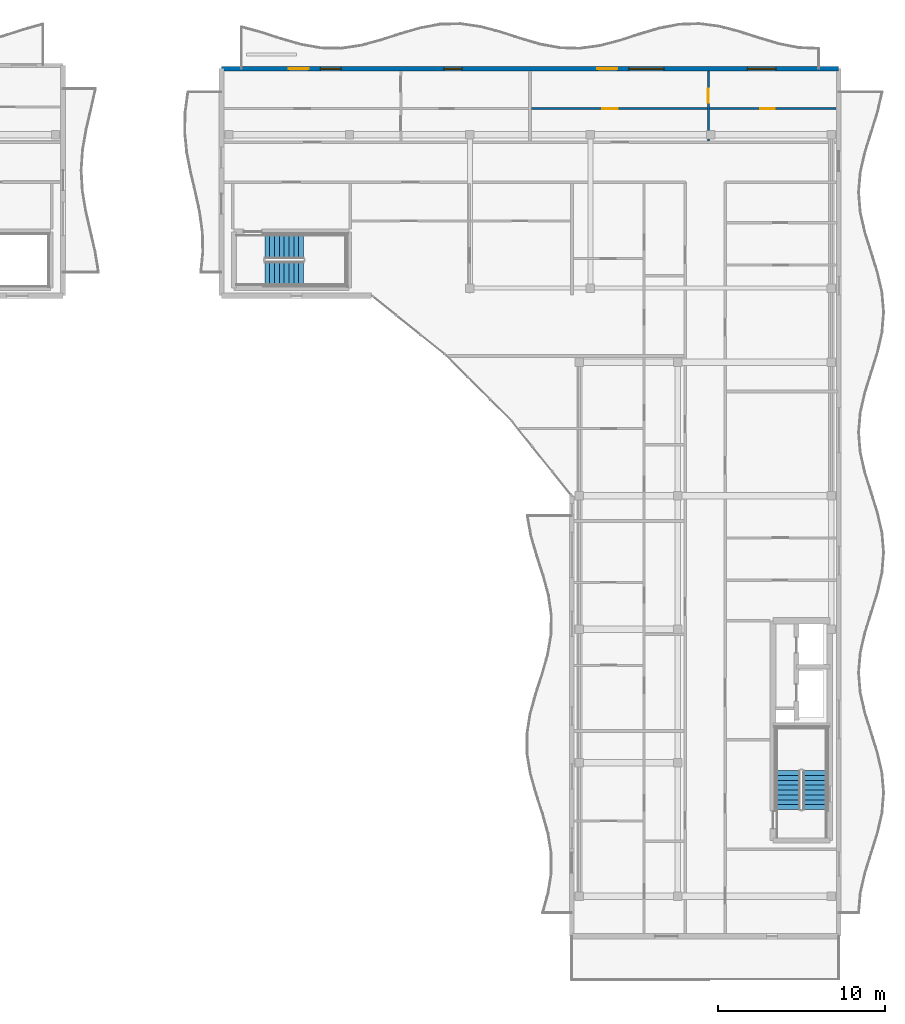
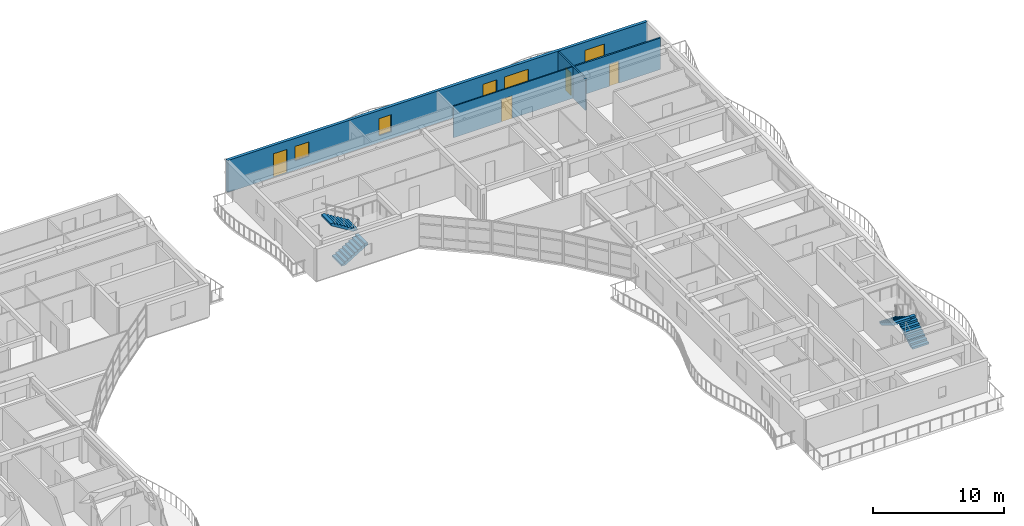
# One storey, part 22 of 30: 5 doors, 4 stair flights, 4 walls, 4 windows, 9 openings, 2 elements without a shape of their own.
"""IFC4 building model written with IfcOpenShell, lengths in metres."""

from ifc_helpers import new_model, si_unit, direction, frame, frame_2d, origin, place, context, subcontext, project, spatial, polyline, rectangle, outline, extrude, material, layer, layer_set, type_object, element, fill, aggregate, save


model = new_model("IFC4")

# Units and contexts
model_context = context("Model", 3, precision=1e-05, world=origin(), true_north=direction((0.0, 1.0)))
body_context = subcontext(model_context, "Body", "Model", "MODEL_VIEW")
ifc_project = project(units=[si_unit("LENGTHUNIT", "METRE"), si_unit("AREAUNIT", "SQUARE_METRE"), si_unit("VOLUMEUNIT", "CUBIC_METRE"), si_unit("PLANEANGLEUNIT", "RADIAN"), si_unit("MASSUNIT", "GRAM", prefix="KILO")], contexts=[model_context])

# Site, building, storey
site_placement = place(None, origin())
site = spatial("IfcSite", under=ifc_project, at=site_placement, CompositionType="ELEMENT")
building_placement = place(site_placement, origin())
building = spatial("IfcBuilding", under=site, at=building_placement, Name="Keldmere Railside Commons", CompositionType="ELEMENT")
storey_placement = place(building_placement, frame((0.0, 0.0, 36.159912109375)))
storey = spatial("IfcBuildingStorey", under=building, at=storey_placement, Name="L11", CompositionType="ELEMENT", Elevation=36.159912109375)

# Wall, opening, door
ifc_material_1 = material(Name="Acoustic Gypsum Board Partition", Category="gypsum")
ifc_layer_1 = layer(ifc_material_1, 0.1201171875, Name="Apartment Interior Partition 120")
ifc_layer_set_1 = layer_set([ifc_layer_1], Name="Acoustic Gypsum Board Partition")
wall_type_1 = type_object("IfcWallType", Name="Apartment Interior Partition 120", PredefinedType="PARTITIONING", material=ifc_layer_set_1)
wall_1_placement = place(storey_placement, frame((176.179931640625, 109.280029296875, 0.0), z_axis=(0.0, 0.0, 1.0), x_axis=(0.0, 1.0, 0.0)))
wall_1 = element("IfcWall", 1, at=wall_1_placement, inside=storey, type_object=wall_type_1, Name="IW-4 IW-L11-1881", PredefinedType="PARTITIONING", context=body_context, shape_type="SweptSolid", body=[
    extrude(rectangle(XDim=4.18994140625, YDim=0.1201171875, at=frame_2d((2.094970703125, 0.0))), origin(), (0.0, 0.0, 1.0), 2.93505859375),
])
opening_1_placement = place(wall_1_placement, frame((2.267578125, 0.0, 0.0)))
opening_1 = element("IfcOpeningElement", 2, at=opening_1_placement, cuts=wall_1, Name="Opening ID-04", PredefinedType="OPENING", context=body_context, shape_type="SweptSolid", body=[
    extrude(rectangle(XDim=0.860107421875, YDim=2.10009765625, at=frame_2d((0.43017578125, 1.050048828125))), frame((0.0, 0.070068359375, 0.0), z_axis=(0.0, -1.0, 0.0), x_axis=(1.0, 0.0, 0.0)), (0.0, 0.0, 1.0), 0.14013671875),
])
ifc_material_2 = material(Name="Engineered Oak Timber", Category="wood")
door_type_1 = type_object("IfcDoorType", Name="Apartment Bathroom Door 860x2100", OperationType="NOTDEFINED", PredefinedType="DOOR", material=ifc_material_2)
door_1_placement = place(opening_1_placement, origin())
door_1 = element("IfcDoor", 3, at=door_1_placement, inside=storey, type_object=door_type_1, Name="ID-04 IDR-L11-1725", OperationType="SINGLE_SWING_LEFT", OverallHeight=2.10009765625, OverallWidth=0.860107421875, PredefinedType="DOOR", context=body_context, shape_type="SweptSolid", body=[
    extrude(rectangle(XDim=0.860107421875, YDim=2.10009765625, at=frame_2d((0.43017578125, 1.050048828125))), frame((0.0, 0.02490234375, 0.0), z_axis=(0.0, -1.0, 0.0), x_axis=(1.0, 0.0, 0.0)), (0.0, 0.0, 1.0), 0.050048828125),
])
fill(opening_1, door_1)

ifc_layer_2 = layer(ifc_material_1, 0.10009765625, Name="Closet Light Partition 100")
ifc_layer_set_2 = layer_set([ifc_layer_2], Name="Acoustic Gypsum Board Partition")
wall_type_2 = type_object("IfcWallType", Name="Closet Light Partition 100", PredefinedType="PARTITIONING", material=ifc_layer_set_2)
wall_2_placement = place(storey_placement, frame((165.590087890625, 111.2099609375, 0.0), z_axis=(0.0, 0.0, 1.0), x_axis=(1.0, 0.0, 0.0)))
wall_2 = element("IfcWall", 4, at=wall_2_placement, inside=storey, type_object=wall_type_2, Name="IW-6 IW-L11-1883", PredefinedType="PARTITIONING", context=body_context, shape_type="SweptSolid", body=[
    extrude(rectangle(XDim=10.530029296875, YDim=0.10009765625, at=frame_2d((5.26513671875, 0.0))), origin(), (0.0, 0.0, 1.0), 2.93505859375),
])
opening_2_placement = place(wall_2_placement, frame((4.236083984375, 0.0, 0.0)))
opening_2 = element("IfcOpeningElement", 5, at=opening_2_placement, cuts=wall_2, Name="Opening ID-03", PredefinedType="OPENING", context=body_context, shape_type="SweptSolid", body=[
    extrude(rectangle(XDim=0.919921875, YDim=2.10009765625, at=frame_2d((0.4599609375, 1.050048828125))), frame((0.0, 0.06005859375, 0.0), z_axis=(0.0, -1.0, 0.0), x_axis=(1.0, 0.0, 0.0)), (0.0, 0.0, 1.0), 0.1201171875),
])
door_type_2 = type_object("IfcDoorType", Name="Kitchen Pocket-Frame Swing Door 920x2100", OperationType="NOTDEFINED", PredefinedType="DOOR", material=ifc_material_2)
door_2_placement = place(opening_2_placement, origin())
door_2 = element("IfcDoor", 6, at=door_2_placement, inside=storey, type_object=door_type_2, Name="ID-03 IDR-L11-1724", OperationType="SINGLE_SWING_RIGHT", OverallHeight=2.10009765625, OverallWidth=0.919921875, PredefinedType="DOOR", context=body_context, shape_type="SweptSolid", body=[
    extrude(rectangle(XDim=0.919921875, YDim=2.10009765625, at=frame_2d((0.4599609375, 1.050048828125))), frame((0.0, 0.02490234375, 0.0), z_axis=(0.0, -1.0, 0.0), x_axis=(1.0, 0.0, 0.0)), (0.0, 0.0, 1.0), 0.050048828125),
])
fill(opening_2, door_2)

# Wall, openings, doors, windows
ifc_material_3 = material(Name="Terracotta Brick Masonry", Category="masonry")
ifc_layer_3 = layer(ifc_material_3, 0.260009765625, Name="Terracotta Cavity Wall 260")
ifc_layer_set_3 = layer_set([ifc_layer_3], Name="Terracotta Brick Masonry")
wall_type_3 = type_object("IfcWallType", Name="Terracotta Cavity Wall 260", PredefinedType="SOLIDWALL", material=ifc_layer_set_3)
wall_3_placement = place(storey_placement, frame((147.0, 113.60009765625, 0.0), z_axis=(0.0, 0.0, 1.0), x_axis=(1.0, 0.0, 0.0)))
wall_3 = element("IfcWall", 7, at=wall_3_placement, inside=storey, type_object=wall_type_3, Name="EW-1 EXTA-L11-0953", PredefinedType="SOLIDWALL", context=body_context, shape_type="SweptSolid", body=[
    extrude(rectangle(XDim=37.0, YDim=0.260009765625, at=frame_2d((18.5, 0.0))), origin(), (0.0, 0.0, 1.0), 2.97998046875),
])
opening_3_placement = place(wall_3_placement, frame((4.02490234375, 0.0, 0.0)))
opening_3 = element("IfcOpeningElement", 8, at=opening_3_placement, cuts=wall_3, Name="Opening BD-01", PredefinedType="OPENING", context=body_context, shape_type="SweptSolid", body=[
    extrude(rectangle(XDim=1.199951171875, YDim=2.199951171875, at=frame_2d((0.60009765625, 1.10009765625))), frame((0.0, 0.139892578125, 0.0), z_axis=(0.0, -1.0, 0.0), x_axis=(1.0, 0.0, 0.0)), (0.0, 0.0, 1.0), 0.280029296875),
])
opening_4_placement = place(wall_3_placement, frame((5.925048828125, 0.0, 0.8701171875)))
opening_4 = element("IfcOpeningElement", 9, at=opening_4_placement, cuts=wall_3, Name="Opening WN-09", PredefinedType="OPENING", context=body_context, shape_type="SweptSolid", body=[
    extrude(rectangle(XDim=1.25, YDim=1.35009765625, at=frame_2d((0.625, 0.675048828125))), frame((0.0, 0.139892578125, 0.0), z_axis=(0.0, -1.0, 0.0), x_axis=(1.0, 0.0, 0.0)), (0.0, 0.0, 1.0), 0.280029296875),
])
opening_5_placement = place(wall_3_placement, frame((13.324951171875, 0.0, 0.6201171875)))
opening_5 = element("IfcOpeningElement", 10, at=opening_5_placement, cuts=wall_3, Name="Opening WN-16", PredefinedType="OPENING", context=body_context, shape_type="SweptSolid", body=[
    extrude(rectangle(XDim=1.10009765625, YDim=1.60009765625, at=frame_2d((0.550048828125, 0.800048828125))), frame((0.0, 0.139892578125, 0.0), z_axis=(0.0, -1.0, 0.0), x_axis=(1.0, 0.0, 0.0)), (0.0, 0.0, 1.0), 0.280029296875),
])
opening_6_placement = place(wall_3_placement, frame((22.52490234375, 0.0, 0.0)))
opening_6 = element("IfcOpeningElement", 11, at=opening_6_placement, cuts=wall_3, Name="Opening BD-01", PredefinedType="OPENING", context=body_context, shape_type="SweptSolid", body=[
    extrude(rectangle(XDim=1.199951171875, YDim=2.199951171875, at=frame_2d((0.60009765625, 1.10009765625))), frame((0.0, 0.139892578125, 0.0), z_axis=(0.0, -1.0, 0.0), x_axis=(1.0, 0.0, 0.0)), (0.0, 0.0, 1.0), 0.280029296875),
])
opening_7_placement = place(wall_3_placement, frame((24.425048828125, 0.0, 0.669921875)))
opening_7 = element("IfcOpeningElement", 12, at=opening_7_placement, cuts=wall_3, Name="Opening WN-11", PredefinedType="OPENING", context=body_context, shape_type="SweptSolid", body=[
    extrude(rectangle(XDim=2.10009765625, YDim=1.550048828125, at=frame_2d((1.050048828125, 0.77490234375))), frame((0.0, 0.139892578125, 0.0), z_axis=(0.0, -1.0, 0.0), x_axis=(1.0, 0.0, 0.0)), (0.0, 0.0, 1.0), 0.280029296875),
])
opening_8_placement = place(wall_3_placement, frame((31.52490234375, 0.0, 0.719970703125)))
opening_8 = element("IfcOpeningElement", 13, at=opening_8_placement, cuts=wall_3, Name="Opening WN-20", PredefinedType="OPENING", context=body_context, shape_type="SweptSolid", body=[
    extrude(rectangle(XDim=1.699951171875, YDim=1.5, at=frame_2d((0.85009765625, 0.75))), frame((0.0, 0.139892578125, 0.0), z_axis=(0.0, -1.0, 0.0), x_axis=(1.0, 0.0, 0.0)), (0.0, 0.0, 1.0), 0.280029296875),
])
ifc_material_4 = material(Name="Thermally Broken Aluminium", Category="aluminium")
door_type_3 = type_object("IfcDoorType", Name="Apartment Living Wave-Balcony Glazed Door 1200x2200", OperationType="NOTDEFINED", PredefinedType="DOOR", material=ifc_material_4)
door_3_placement = place(opening_3_placement, origin())
door_3 = element("IfcDoor", 14, at=door_3_placement, inside=storey, type_object=door_type_3, Name="BD-01 DR-L11-0281", OperationType="SINGLE_SWING_LEFT", OverallHeight=2.199951171875, OverallWidth=1.199951171875, PredefinedType="DOOR", context=body_context, shape_type="SweptSolid", body=[
    extrude(rectangle(XDim=1.199951171875, YDim=2.199951171875, at=frame_2d((0.60009765625, 1.10009765625))), frame((0.0, 0.02490234375, 0.0), z_axis=(0.0, -1.0, 0.0), x_axis=(1.0, 0.0, 0.0)), (0.0, 0.0, 1.0), 0.050048828125),
])
fill(opening_3, door_3)
door_4_placement = place(opening_6_placement, origin())
door_4 = element("IfcDoor", 15, at=door_4_placement, inside=storey, type_object=door_type_3, Name="BD-01 DR-L11-0282", OperationType="SINGLE_SWING_RIGHT", OverallHeight=2.199951171875, OverallWidth=1.199951171875, PredefinedType="DOOR", context=body_context, shape_type="SweptSolid", body=[
    extrude(rectangle(XDim=1.199951171875, YDim=2.199951171875, at=frame_2d((0.60009765625, 1.10009765625))), frame((0.0, 0.02490234375, 0.0), z_axis=(0.0, -1.0, 0.0), x_axis=(1.0, 0.0, 0.0)), (0.0, 0.0, 1.0), 0.050048828125),
])
fill(opening_6, door_4)
ifc_material_5 = material(Name="Low-E Insulated Double Glazing", Category="glass")
window_type_1 = type_object("IfcWindowType", Name="Corridor End Daylight Window 1100x1600", PartitioningType="SINGLE_PANEL", PredefinedType="WINDOW", material=ifc_material_5)
window_1_placement = place(opening_5_placement, origin())
window_1 = element("IfcWindow", 16, at=window_1_placement, inside=storey, type_object=window_type_1, Name="WN-16 WIN-L11-0779", OverallHeight=1.60009765625, OverallWidth=1.10009765625, PartitioningType="SINGLE_PANEL", PredefinedType="WINDOW", context=body_context, shape_type="SweptSolid", body=[
    extrude(rectangle(XDim=1.10009765625, YDim=1.60009765625, at=frame_2d((0.550048828125, 0.800048828125))), frame((0.0, 0.030029296875, 0.0), z_axis=(0.0, -1.0, 0.0), x_axis=(1.0, 0.0, 0.0)), (0.0, 0.0, 1.0), 0.06005859375),
])
fill(opening_5, window_1)
window_type_2 = type_object("IfcWindowType", Name="Secondary Bedroom Window 1250x1350", PartitioningType="SINGLE_PANEL", PredefinedType="WINDOW", material=ifc_material_5)
window_2_placement = place(opening_4_placement, origin())
window_2 = element("IfcWindow", 17, at=window_2_placement, inside=storey, type_object=window_type_2, Name="WN-09 WIN-L11-0778", OverallHeight=1.35009765625, OverallWidth=1.25, PartitioningType="SINGLE_PANEL", PredefinedType="WINDOW", context=body_context, shape_type="SweptSolid", body=[
    extrude(rectangle(XDim=1.25, YDim=1.35009765625, at=frame_2d((0.625, 0.675048828125))), frame((0.0, 0.030029296875, 0.0), z_axis=(0.0, -1.0, 0.0), x_axis=(1.0, 0.0, 0.0)), (0.0, 0.0, 1.0), 0.06005859375),
])
fill(opening_4, window_2)
window_type_3 = type_object("IfcWindowType", Name="Studio Wide Casement Window 2100x1550", PartitioningType="SINGLE_PANEL", PredefinedType="WINDOW", material=ifc_material_5)
window_3_placement = place(opening_7_placement, origin())
window_3 = element("IfcWindow", 18, at=window_3_placement, inside=storey, type_object=window_type_3, Name="WN-11 WIN-L11-0780", OverallHeight=1.550048828125, OverallWidth=2.10009765625, PartitioningType="SINGLE_PANEL", PredefinedType="WINDOW", context=body_context, shape_type="SweptSolid", body=[
    extrude(rectangle(XDim=2.10009765625, YDim=1.550048828125, at=frame_2d((1.050048828125, 0.77490234375))), frame((0.0, 0.030029296875, 0.0), z_axis=(0.0, -1.0, 0.0), x_axis=(1.0, 0.0, 0.0)), (0.0, 0.0, 1.0), 0.06005859375),
])
fill(opening_7, window_3)
window_type_4 = type_object("IfcWindowType", Name="Study Room Quiet Casement Window 1700x1500", PartitioningType="SINGLE_PANEL", PredefinedType="WINDOW", material=ifc_material_5)
window_4_placement = place(opening_8_placement, origin())
window_4 = element("IfcWindow", 19, at=window_4_placement, inside=storey, type_object=window_type_4, Name="WN-20 WIN-L11-0781", OverallHeight=1.5, OverallWidth=1.699951171875, PartitioningType="SINGLE_PANEL", PredefinedType="WINDOW", context=body_context, shape_type="SweptSolid", body=[
    extrude(rectangle(XDim=1.699951171875, YDim=1.5, at=frame_2d((0.85009765625, 0.75))), frame((0.0, 0.030029296875, 0.0), z_axis=(0.0, -1.0, 0.0), x_axis=(1.0, 0.0, 0.0)), (0.0, 0.0, 1.0), 0.06005859375),
])
fill(opening_8, window_4)

# Wall, opening, door
ifc_layer_4 = layer(ifc_material_1, 0.139892578125, Name="Wet-Room Sanitary Partition 140")
ifc_layer_set_4 = layer_set([ifc_layer_4], Name="Acoustic Gypsum Board Partition")
wall_type_4 = type_object("IfcWallType", Name="Wet-Room Sanitary Partition 140", PredefinedType="PARTITIONING", material=ifc_layer_set_4)
wall_4_placement = place(storey_placement, frame((176.239990234375, 111.2099609375, 0.0), z_axis=(0.0, 0.0, 1.0), x_axis=(1.0, 0.0, 0.0)))
wall_4 = element("IfcWall", 20, at=wall_4_placement, inside=storey, type_object=wall_type_4, Name="IW-5 IW-L11-1882", PredefinedType="PARTITIONING", context=body_context, shape_type="SweptSolid", body=[
    extrude(rectangle(XDim=7.60009765625, YDim=0.139892578125, at=frame_2d((3.800048828125, 0.0))), origin(), (0.0, 0.0, 1.0), 2.93505859375),
])
opening_9_placement = place(wall_4_placement, frame((3.06396484375, 0.0, 0.0)))
opening_9 = element("IfcOpeningElement", 21, at=opening_9_placement, cuts=wall_4, Name="Opening ID-06", PredefinedType="OPENING", context=body_context, shape_type="SweptSolid", body=[
    extrude(rectangle(XDim=0.85009765625, YDim=2.050048828125, at=frame_2d((0.425048828125, 1.02490234375))), frame((0.0, 0.079833984375, 0.0), z_axis=(0.0, -1.0, 0.0), x_axis=(1.0, 0.0, 0.0)), (0.0, 0.0, 1.0), 0.159912109375),
])
door_type_4 = type_object("IfcDoorType", Name="Storage Closet Door 850x2050", OperationType="NOTDEFINED", PredefinedType="DOOR", material=ifc_material_2)
door_5_placement = place(opening_9_placement, origin())
door_5 = element("IfcDoor", 22, at=door_5_placement, inside=storey, type_object=door_type_4, Name="ID-06 IDR-L11-1726", OperationType="SINGLE_SWING_RIGHT", OverallHeight=2.050048828125, OverallWidth=0.85009765625, PredefinedType="DOOR", context=body_context, shape_type="SweptSolid", body=[
    extrude(rectangle(XDim=0.85009765625, YDim=2.050048828125, at=frame_2d((0.425048828125, 1.02490234375))), frame((0.0, 0.02490234375, 0.0), z_axis=(0.0, -1.0, 0.0), x_axis=(1.0, 0.0, 0.0)), (0.0, 0.0, 1.0), 0.050048828125),
])
fill(opening_9, door_5)

# Stair, stair flights
ifc_material_6 = material(Name="Concrete H-30 (C30/37)", Category="concrete")
stair_type = type_object("IfcStairType", Name="Residential Core Dogleg Stair 1450", PredefinedType="HALF_TURN_STAIR", material=ifc_material_6)
stair_1_placement = place(storey_placement, origin())
stair_1 = element("IfcStair", 23, at=stair_1_placement, inside=storey, type_object=stair_type, Name="L11 Block A Primary Escape Stair 1", PredefinedType="HALF_TURN_STAIR")
stair_flight_type = type_object("IfcStairFlightType", Name="Residential Core Stair Flight 1450", PredefinedType="STRAIGHT", material=ifc_material_6)
stair_flight_1_placement = place(storey_placement, frame((182.574951171875, 69.199951171875, 0.0), z_axis=(0.0, 0.0, 1.0), x_axis=(0.0, 1.0, 0.0)))
stair_flight_1 = element("IfcStairFlight", 24, at=stair_flight_1_placement, type_object=stair_flight_type, Name="ST-A1 flight 1", NumberOfRisers=9, NumberOfTreads=8, PredefinedType="STRAIGHT", RiserHeight=0.177777778, TreadLength=0.29, context=body_context, shape_type="SweptSolid", body=[
    extrude(outline(polyline([(0.0, 0.0), (0.0, 0.177734375), (0.2900390625, 0.177734375), (0.2900390625, 0.35546875), (0.580078125, 0.35546875), (0.580078125, 0.533447265625), (0.8701171875, 0.533447265625), (0.8701171875, 0.711181640625), (1.159912109375, 0.711181640625), (1.159912109375, 0.888916015625), (1.449951171875, 0.888916015625), (1.449951171875, 1.066650390625), (1.739990234375, 1.066650390625), (1.739990234375, 1.244384765625), (2.030029296875, 1.244384765625), (2.030029296875, 1.422119140625), (2.320068359375, 1.422119140625), (2.320068359375, 1.60009765625), (2.320068359375, 1.211181640625), (0.34423828125, 0.0), (0.0, 0.0)])), frame((0.0, 0.72509765625, 0.0), z_axis=(0.0, -1.0, 0.0), x_axis=(1.0, 0.0, 0.0)), (0.0, 0.0, 1.0), 1.449951171875),
])
stair_flight_2_placement = place(storey_placement, frame((180.97509765625, 71.52001953125, 1.60009765625), z_axis=(0.0, 0.0, 1.0), x_axis=(0.0, -1.0, 0.0)))
stair_flight_2 = element("IfcStairFlight", 25, at=stair_flight_2_placement, type_object=stair_flight_type, Name="ST-A1 flight 2", NumberOfRisers=9, NumberOfTreads=8, PredefinedType="STRAIGHT", RiserHeight=0.177777778, TreadLength=0.29, context=body_context, shape_type="SweptSolid", body=[
    extrude(outline(polyline([(0.0, 0.0), (0.0, 0.177734375), (0.2900390625, 0.177734375), (0.2900390625, 0.35546875), (0.580078125, 0.35546875), (0.580078125, 0.533447265625), (0.8701171875, 0.533447265625), (0.8701171875, 0.711181640625), (1.159912109375, 0.711181640625), (1.159912109375, 0.888916015625), (1.449951171875, 0.888916015625), (1.449951171875, 1.066650390625), (1.739990234375, 1.066650390625), (1.739990234375, 1.244384765625), (2.030029296875, 1.244384765625), (2.030029296875, 1.422119140625), (2.320068359375, 1.422119140625), (2.320068359375, 1.60009765625), (2.320068359375, 1.211181640625), (0.34423828125, 0.0), (0.0, 0.0)])), frame((0.0, 0.72509765625, 0.0), z_axis=(0.0, -1.0, 0.0), x_axis=(1.0, 0.0, 0.0)), (0.0, 0.0, 1.0), 1.449951171875),
])
aggregate(stair_1, [stair_flight_1, stair_flight_2])

stair_2_placement = place(storey_placement, origin())
stair_2 = element("IfcStair", 26, at=stair_2_placement, inside=storey, type_object=stair_type, Name="L11 Block A Secondary Escape Stair 2", PredefinedType="HALF_TURN_STAIR")
stair_flight_3_placement = place(storey_placement, frame((149.60009765625, 101.324951171875, 0.0), z_axis=(0.0, 0.0, 1.0), x_axis=(1.0, 0.0, 0.0)))
stair_flight_3 = element("IfcStairFlight", 27, at=stair_flight_3_placement, type_object=stair_flight_type, Name="ST-A2 flight 1", NumberOfRisers=9, NumberOfTreads=8, PredefinedType="STRAIGHT", RiserHeight=0.177777778, TreadLength=0.29, context=body_context, shape_type="SweptSolid", body=[
    extrude(outline(polyline([(0.0, 0.0), (0.0, 0.177734375), (0.2900390625, 0.177734375), (0.2900390625, 0.35546875), (0.580078125, 0.35546875), (0.580078125, 0.533447265625), (0.8701171875, 0.533447265625), (0.8701171875, 0.711181640625), (1.159912109375, 0.711181640625), (1.159912109375, 0.888916015625), (1.449951171875, 0.888916015625), (1.449951171875, 1.066650390625), (1.739990234375, 1.066650390625), (1.739990234375, 1.244384765625), (2.030029296875, 1.244384765625), (2.030029296875, 1.422119140625), (2.320068359375, 1.422119140625), (2.320068359375, 1.60009765625), (2.320068359375, 1.211181640625), (0.34423828125, 0.0), (0.0, 0.0)])), frame((0.0, 0.72509765625, 0.0), z_axis=(0.0, -1.0, 0.0), x_axis=(1.0, 0.0, 0.0)), (0.0, 0.0, 1.0), 1.449951171875),
])
stair_flight_4_placement = place(storey_placement, frame((151.919921875, 102.925048828125, 1.60009765625), z_axis=(0.0, 0.0, 1.0), x_axis=(-1.0, 0.0, 0.0)))
stair_flight_4 = element("IfcStairFlight", 28, at=stair_flight_4_placement, type_object=stair_flight_type, Name="ST-A2 flight 2", NumberOfRisers=9, NumberOfTreads=8, PredefinedType="STRAIGHT", RiserHeight=0.177777778, TreadLength=0.29, context=body_context, shape_type="SweptSolid", body=[
    extrude(outline(polyline([(0.0, 0.0), (0.0, 0.177734375), (0.2900390625, 0.177734375), (0.2900390625, 0.35546875), (0.580078125, 0.35546875), (0.580078125, 0.533447265625), (0.8701171875, 0.533447265625), (0.8701171875, 0.711181640625), (1.159912109375, 0.711181640625), (1.159912109375, 0.888916015625), (1.449951171875, 0.888916015625), (1.449951171875, 1.066650390625), (1.739990234375, 1.066650390625), (1.739990234375, 1.244384765625), (2.030029296875, 1.244384765625), (2.030029296875, 1.422119140625), (2.320068359375, 1.422119140625), (2.320068359375, 1.60009765625), (2.320068359375, 1.211181640625), (0.34423828125, 0.0), (0.0, 0.0)])), frame((0.0, 0.72509765625, 0.0), z_axis=(0.0, -1.0, 0.0), x_axis=(1.0, 0.0, 0.0)), (0.0, 0.0, 1.0), 1.449951171875),
])
aggregate(stair_2, [stair_flight_3, stair_flight_4])

save(model, "model.ifc")
